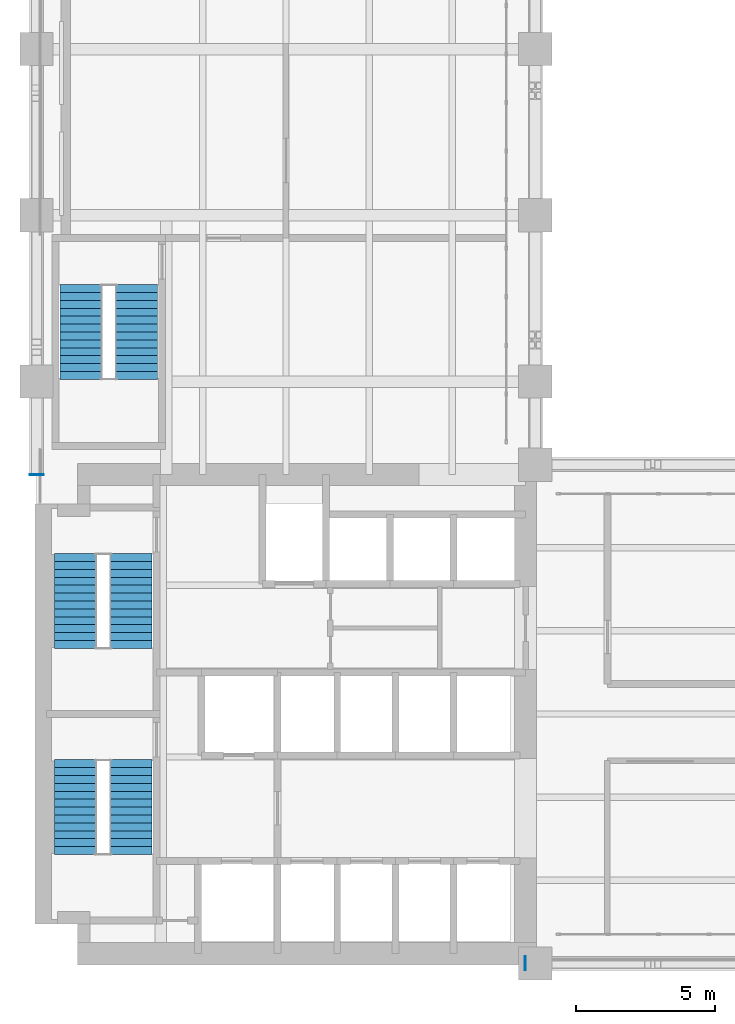
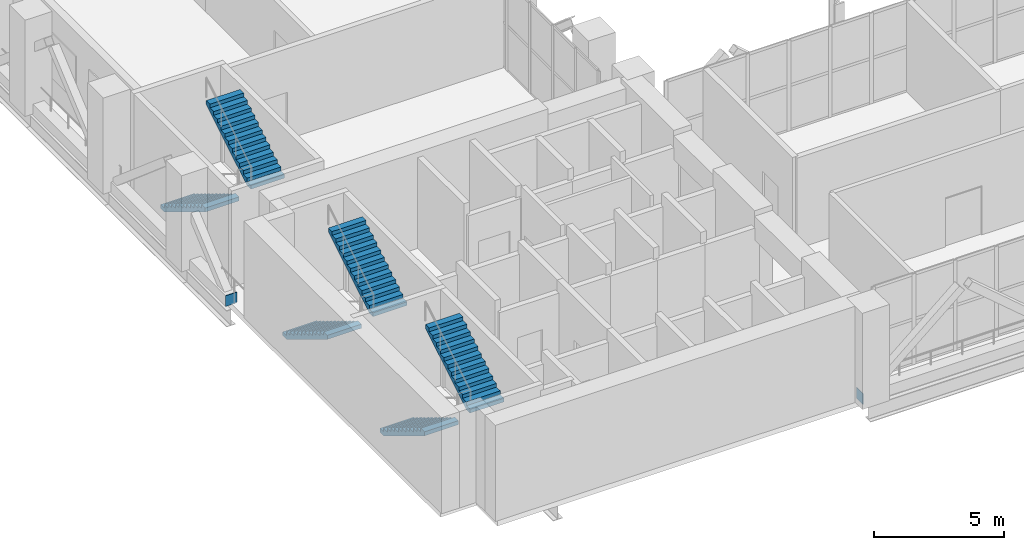
# One storey, part 25 of 27: 6 stair flights, 2 discrete accessories, 3 elements without a shape of their own.
"""IFC4 building model written with IfcOpenShell, lengths in metres."""

import ifcopenshell
import ifcopenshell.guid

model = None  # the IFC model being written
_history = None  # IfcOwnerHistory: only IFC2X3 demands one
_inside = {}  # id of a spatial element -> (the spatial element, [elements in it])
_under = {}  # id of a project, library or spatial element -> (it, [spatial elements below it])
_declared = {}  # id of a project -> (the project, [libraries it declares])
_typed = {}  # id of a type object -> (the type object, [elements of that type])
_made_of = {}  # id of a material, layer set ... -> (it, [elements and type objects made of it])


def new_model(schema):
    """Start an empty IFC model of exactly this schema.

    Asked for "IFC4X3", IfcOpenShell would pick the latest addendum, in which some entities
    have other attributes; the version numbers below select the first issue.
    IFC2X3 requires an IfcOwnerHistory on every rooted entity: one is made here for all.
    """
    global model, _history
    if schema == "IFC4X3":
        model = ifcopenshell.file(schema_version=(4, 3, 0, 0))
    else:
        model = ifcopenshell.file(schema=schema)
    _inside.clear()
    _under.clear()
    _declared.clear()
    _typed.clear()
    _made_of.clear()
    _history = None
    if model.schema == "IFC2X3":
        org = make("IfcOrganization", Name="unknown")
        user = make(
            "IfcPersonAndOrganization",
            ThePerson=make("IfcPerson", FamilyName="unknown"),
            TheOrganization=org,
        )
        app = make(
            "IfcApplication",
            ApplicationDeveloper=org,
            Version="unknown",
            ApplicationFullName="unknown",
            ApplicationIdentifier="unknown",
        )
        _history = make(
            "IfcOwnerHistory",
            OwningUser=user,
            OwningApplication=app,
            ChangeAction="ADDED",
            CreationDate=0,
        )
    return model


def make(cls, **values):
    """One entity of the class cls with the attributes given. An attribute that is None is left unset."""
    return model.create_entity(
        cls, **{name: value for name, value in values.items() if value is not None}
    )


def rooted(cls, **values):
    """An entity with a GlobalId (a new one), such as an element, a storey or a relation."""
    return make(cls, GlobalId=ifcopenshell.guid.new(), OwnerHistory=_history, **values)


def si_unit(unit_type, name, prefix=None):
    """IfcSIUnit, for example si_unit("LENGTHUNIT", "METRE", prefix="MILLI")."""
    return make("IfcSIUnit", UnitType=unit_type, Prefix=prefix, Name=name)


def assignment(units):
    """IfcUnitAssignment: the units of a project."""
    return None if units is None else make("IfcUnitAssignment", Units=units)


def point(xyz):
    """IfcCartesianPoint."""
    return None if xyz is None else make("IfcCartesianPoint", Coordinates=xyz)


def direction(xyz):
    """IfcDirection."""
    return None if xyz is None else make("IfcDirection", DirectionRatios=xyz)


def frame(location, z_axis=None, x_axis=None):
    """IfcAxis2Placement3D, a coordinate frame: its origin and axes. An axis left out is left unset."""
    return make(
        "IfcAxis2Placement3D",
        Location=point(location),
        Axis=direction(z_axis),
        RefDirection=direction(x_axis),
    )


def frame_2d(location, x_axis=None):
    """IfcAxis2Placement2D, a coordinate frame in the plane: its origin and x axis."""
    return make(
        "IfcAxis2Placement2D", Location=point(location), RefDirection=direction(x_axis)
    )


def origin():
    """The frame at (0, 0, 0) with its axes left unset."""
    return frame((0.0, 0.0, 0.0))


def origin_2d():
    """The frame at (0, 0) in the plane with its x axis left unset."""
    return frame_2d((0.0, 0.0))


def place(relative_to, where):
    """IfcLocalPlacement: puts the frame where relative to a parent placement (None: the world)."""
    return make(
        "IfcLocalPlacement", PlacementRelTo=relative_to, RelativePlacement=where
    )


def context(
    kind, dimensions, precision=None, world=None, true_north=None, identifier=None
):
    """IfcGeometricRepresentationContext, for example the 3D "Model" context."""
    return make(
        "IfcGeometricRepresentationContext",
        ContextIdentifier=identifier,
        ContextType=kind,
        CoordinateSpaceDimension=dimensions,
        Precision=precision,
        WorldCoordinateSystem=world,
        TrueNorth=true_north,
    )


def subcontext(parent, identifier, kind, view, scale=None):
    """IfcGeometricRepresentationSubContext, for example "Body" below "Model"."""
    return make(
        "IfcGeometricRepresentationSubContext",
        ContextIdentifier=identifier,
        ContextType=kind,
        ParentContext=parent,
        TargetScale=scale,
        TargetView=view,
    )


def project(units=None, contexts=None):
    """IfcProject with its units and contexts."""
    return rooted(
        "IfcProject",
        Name="project",
        RepresentationContexts=contexts,
        UnitsInContext=assignment(units),
    )


def spatial(cls, under=None, at=None, **own):
    """A site, building, storey or space (cls), placed at a placement, below another one or the project."""
    s = rooted(cls, ObjectPlacement=at, **own)
    if under is not None:
        _under.setdefault(under.id(), (under, []))[1].append(s)
    return s


def polyline(points):
    """IfcPolyline through the points."""
    return make("IfcPolyline", Points=[point(p) for p in points])


def profile(cls, at=None, kind="AREA", **sizes):
    """A parametric profile (cls). Its sizes go by their IFC names, for example OverallWidth=200.0."""
    return make(cls, ProfileType=kind, Position=at, **sizes)


def rectangle(**sizes):
    """IfcRectangleProfileDef."""
    return profile("IfcRectangleProfileDef", **sizes)


def outline(outer, holes=None, kind="AREA"):
    """IfcArbitraryClosedProfileDef: a profile drawn as a closed curve; with holes, ...WithVoids."""
    if holes is None:
        return make("IfcArbitraryClosedProfileDef", ProfileType=kind, OuterCurve=outer)
    return make(
        "IfcArbitraryProfileDefWithVoids",
        ProfileType=kind,
        OuterCurve=outer,
        InnerCurves=holes,
    )


def extrude(swept, where, along, depth):
    """IfcExtrudedAreaSolid: the profile swept, set in the frame where, extruded along a direction by depth."""
    return make(
        "IfcExtrudedAreaSolid",
        SweptArea=swept,
        Position=where,
        ExtrudedDirection=direction(along),
        Depth=depth,
    )


def shape(context_of_items, identifier, shape_type, items):
    """IfcShapeRepresentation: the items that make up one representation, for example the "Body"."""
    return make(
        "IfcShapeRepresentation",
        ContextOfItems=context_of_items,
        RepresentationIdentifier=identifier,
        RepresentationType=shape_type,
        Items=items,
    )


def material(Name=None, Category=None):
    """IfcMaterial."""
    return make("IfcMaterial", Name=Name, Category=Category)


def material_profile(
    of_material, cross_section, Name=None, Category=None, Priority=None
):
    """IfcMaterialProfile: a cross section and its material."""
    return make(
        "IfcMaterialProfile",
        Name=Name,
        Material=of_material,
        Profile=cross_section,
        Priority=Priority,
        Category=Category,
    )


def profile_set(profiles, Name=None, composite=None):
    """IfcMaterialProfileSet."""
    return make(
        "IfcMaterialProfileSet",
        Name=Name,
        MaterialProfiles=profiles,
        CompositeProfile=composite,
    )


def made_of(thing, what):
    """Note that an element or type object is made of a material, layer set ...; save() writes the relation."""
    if what is not None:
        _made_of.setdefault(what.id(), (what, []))[1].append(thing)
    return thing


def type_object(cls, material=None, **own):
    """A type object (cls), such as IfcWallType, which elements share."""
    return made_of(rooted(cls, **own), material)


def element(
    cls,
    number,
    at=None,
    inside=None,
    cuts=None,
    type_object=None,
    material=None,
    context=None,
    identifier="Body",
    shape_type=None,
    held_by="IfcProductDefinitionShape",
    body=None,
    shapes=None,
    **own,
):
    """One element of the class cls, such as IfcWall. Its Tag is "e" and its number.

    at: its placement. inside: the storey or other place that contains it. cuts: it is an
    opening in that element (IfcRelVoidsElement). A single representation is given by context,
    identifier, shape_type and body (its items); several are given by shapes. held_by: the class
    of the entity that holds the representations. save() writes the other relations.
    """
    e = rooted(cls, Tag="e%d" % number, ObjectPlacement=at, **own)
    if body is not None:
        shapes = [shape(context, identifier, shape_type, body)]
    if shapes is not None:
        e.Representation = make(held_by, Representations=shapes)
    if inside is not None:
        _inside.setdefault(inside.id(), (inside, []))[1].append(e)
    if cuts is not None:
        rooted(
            "IfcRelVoidsElement", RelatingBuildingElement=cuts, RelatedOpeningElement=e
        )
    if type_object is not None:
        _typed.setdefault(type_object.id(), (type_object, []))[1].append(e)
    return made_of(e, material)


def aggregate(whole, parts):
    """IfcRelAggregates: a whole, such as a stair, and the parts it consists of."""
    return rooted("IfcRelAggregates", RelatingObject=whole, RelatedObjects=parts)


def save(model, path):
    """Write the relations noted so far, then the file.

    IfcRelAggregates (storeys below a building ...), IfcRelContainedInSpatialStructure (elements
    in a storey), IfcRelDefinesByType, IfcRelAssociatesMaterial and IfcRelDeclares: one each for
    every whole, place, type object, material and project.
    """
    for whole, parts in _under.values():
        aggregate(whole, parts)
    for where, things in _inside.values():
        rooted(
            "IfcRelContainedInSpatialStructure",
            RelatedElements=things,
            RelatingStructure=where,
        )
    for kind, things in _typed.values():
        rooted("IfcRelDefinesByType", RelatedObjects=things, RelatingType=kind)
    for what, things in _made_of.values():
        rooted("IfcRelAssociatesMaterial", RelatedObjects=things, RelatingMaterial=what)
    for by, libraries in _declared.values():
        rooted("IfcRelDeclares", RelatingContext=by, RelatedDefinitions=libraries)
    model.write(path)


model = new_model("IFC4")

# Units and contexts
model_context = context("Model", 3, precision=1e-05, world=origin(), true_north=direction((0.0, 1.0)))
body_context = subcontext(model_context, "Body", "Model", "MODEL_VIEW")
ifc_project = project(units=[si_unit("LENGTHUNIT", "METRE"), si_unit("AREAUNIT", "SQUARE_METRE"), si_unit("VOLUMEUNIT", "CUBIC_METRE"), si_unit("PLANEANGLEUNIT", "RADIAN"), si_unit("MASSUNIT", "GRAM", prefix="KILO")], contexts=[model_context])

# Site, building, storey
site_placement = place(None, origin())
site = spatial("IfcSite", under=ifc_project, at=site_placement, CompositionType="ELEMENT")
building_placement = place(site_placement, origin())
building = spatial("IfcBuilding", under=site, at=building_placement, Name="Mawjdan Bourse Tower", CompositionType="ELEMENT")
storey_placement = place(building_placement, frame((0.0, 0.0, 84.60009765625)))
storey = spatial("IfcBuildingStorey", under=building, at=storey_placement, Name="L19", CompositionType="ELEMENT", Elevation=84.60009765625)

# Stair, stair flights
ifc_material_1 = material(Name="Concrete C50/60", Category="concrete")
stair_type = type_object("IfcStairType", Name="STR-CORE-1500", PredefinedType="HALF_TURN_STAIR", material=ifc_material_1)
stair_1_placement = place(storey_placement, origin())
stair_1 = element("IfcStair", 1, at=stair_1_placement, inside=storey, type_object=stair_type, Name="L19 Exit Stair 1 (Core South-West)", PredefinedType="HALF_TURN_STAIR")
stair_flight_type = type_object("IfcStairFlightType", Name="SFL-RC-1500", PredefinedType="STRAIGHT", material=ifc_material_1)
stair_flight_1_placement = place(storey_placement, frame((7.389892578125, 10.35009765625, 0.0), z_axis=(0.0, 0.0, 1.0), x_axis=(0.0, -1.0, 0.0)))
stair_flight_1 = element("IfcStairFlight", 2, at=stair_flight_1_placement, type_object=stair_flight_type, Name="ST1-L19 flight 1", NumberOfRisers=13, NumberOfTreads=12, PredefinedType="STRAIGHT", RiserHeight=0.173077, TreadLength=0.285, context=body_context, shape_type="SweptSolid", body=[
    extrude(outline(polyline([(0.0, 0.0), (0.0, 0.173095703125), (0.284912109375, 0.173095703125), (0.284912109375, 0.34619140625), (0.570068359375, 0.34619140625), (0.570068359375, 0.519287109375), (0.85498046875, 0.519287109375), (0.85498046875, 0.6923828125), (1.139892578125, 0.6923828125), (1.139892578125, 0.865478515625), (1.425048828125, 0.865478515625), (1.425048828125, 1.03857421875), (1.7099609375, 1.03857421875), (1.7099609375, 1.21142578125), (1.9951171875, 1.21142578125), (1.9951171875, 1.384521484375), (2.280029296875, 1.384521484375), (2.280029296875, 1.5576171875), (2.56494140625, 1.5576171875), (2.56494140625, 1.730712890625), (2.85009765625, 1.730712890625), (2.85009765625, 1.90380859375), (3.135009765625, 1.90380859375), (3.135009765625, 2.076904296875), (3.419921875, 2.076904296875), (3.419921875, 2.25), (3.419921875, 1.889892578125), (0.30810546875, 0.0), (0.0, 0.0)])), frame((0.0, 0.75, 0.0), z_axis=(0.0, -1.0, 0.0), x_axis=(1.0, 0.0, 0.0)), (0.0, 0.0, 1.0), 1.5),
])
stair_flight_2_placement = place(storey_placement, frame((9.409912109375, 6.929931640625, 2.25), z_axis=(0.0, 0.0, 1.0), x_axis=(0.0, 1.0, 0.0)))
stair_flight_2 = element("IfcStairFlight", 3, at=stair_flight_2_placement, type_object=stair_flight_type, Name="ST1-L19 flight 2", NumberOfRisers=13, NumberOfTreads=12, PredefinedType="STRAIGHT", RiserHeight=0.173077, TreadLength=0.285, context=body_context, shape_type="SweptSolid", body=[
    extrude(outline(polyline([(0.0, 0.0), (0.0, 0.173095703125), (0.284912109375, 0.173095703125), (0.284912109375, 0.34619140625), (0.570068359375, 0.34619140625), (0.570068359375, 0.519287109375), (0.85498046875, 0.519287109375), (0.85498046875, 0.6923828125), (1.139892578125, 0.6923828125), (1.139892578125, 0.865478515625), (1.425048828125, 0.865478515625), (1.425048828125, 1.03857421875), (1.7099609375, 1.03857421875), (1.7099609375, 1.21142578125), (1.9951171875, 1.21142578125), (1.9951171875, 1.384521484375), (2.280029296875, 1.384521484375), (2.280029296875, 1.5576171875), (2.56494140625, 1.5576171875), (2.56494140625, 1.730712890625), (2.85009765625, 1.730712890625), (2.85009765625, 1.90380859375), (3.135009765625, 1.90380859375), (3.135009765625, 2.076904296875), (3.419921875, 2.076904296875), (3.419921875, 2.25), (3.419921875, 1.889892578125), (0.30810546875, 0.0), (0.0, 0.0)])), frame((0.0, 0.75, 0.0), z_axis=(0.0, -1.0, 0.0), x_axis=(1.0, 0.0, 0.0)), (0.0, 0.0, 1.0), 1.5),
])
aggregate(stair_1, [stair_flight_1, stair_flight_2])

stair_2_placement = place(storey_placement, origin())
stair_2 = element("IfcStair", 4, at=stair_2_placement, inside=storey, type_object=stair_type, Name="L19 Exit Stair 2 (Core North-West)", PredefinedType="HALF_TURN_STAIR")
stair_flight_3_placement = place(storey_placement, frame((7.389892578125, 17.7900390625, 0.0), z_axis=(0.0, 0.0, 1.0), x_axis=(0.0, -1.0, 0.0)))
stair_flight_3 = element("IfcStairFlight", 5, at=stair_flight_3_placement, type_object=stair_flight_type, Name="ST2-L19 flight 1", NumberOfRisers=13, NumberOfTreads=12, PredefinedType="STRAIGHT", RiserHeight=0.173077, TreadLength=0.285, context=body_context, shape_type="SweptSolid", body=[
    extrude(outline(polyline([(0.0, 0.0), (0.0, 0.173095703125), (0.284912109375, 0.173095703125), (0.284912109375, 0.34619140625), (0.570068359375, 0.34619140625), (0.570068359375, 0.519287109375), (0.85498046875, 0.519287109375), (0.85498046875, 0.6923828125), (1.139892578125, 0.6923828125), (1.139892578125, 0.865478515625), (1.425048828125, 0.865478515625), (1.425048828125, 1.03857421875), (1.7099609375, 1.03857421875), (1.7099609375, 1.21142578125), (1.9951171875, 1.21142578125), (1.9951171875, 1.384521484375), (2.280029296875, 1.384521484375), (2.280029296875, 1.5576171875), (2.56494140625, 1.5576171875), (2.56494140625, 1.730712890625), (2.85009765625, 1.730712890625), (2.85009765625, 1.90380859375), (3.135009765625, 1.90380859375), (3.135009765625, 2.076904296875), (3.419921875, 2.076904296875), (3.419921875, 2.25), (3.419921875, 1.889892578125), (0.30810546875, 0.0), (0.0, 0.0)])), frame((0.0, 0.75, 0.0), z_axis=(0.0, -1.0, 0.0), x_axis=(1.0, 0.0, 0.0)), (0.0, 0.0, 1.0), 1.5),
])
stair_flight_4_placement = place(storey_placement, frame((9.409912109375, 14.3701171875, 2.25), z_axis=(0.0, 0.0, 1.0), x_axis=(0.0, 1.0, 0.0)))
stair_flight_4 = element("IfcStairFlight", 6, at=stair_flight_4_placement, type_object=stair_flight_type, Name="ST2-L19 flight 2", NumberOfRisers=13, NumberOfTreads=12, PredefinedType="STRAIGHT", RiserHeight=0.173077, TreadLength=0.285, context=body_context, shape_type="SweptSolid", body=[
    extrude(outline(polyline([(0.0, 0.0), (0.0, 0.173095703125), (0.284912109375, 0.173095703125), (0.284912109375, 0.34619140625), (0.570068359375, 0.34619140625), (0.570068359375, 0.519287109375), (0.85498046875, 0.519287109375), (0.85498046875, 0.6923828125), (1.139892578125, 0.6923828125), (1.139892578125, 0.865478515625), (1.425048828125, 0.865478515625), (1.425048828125, 1.03857421875), (1.7099609375, 1.03857421875), (1.7099609375, 1.21142578125), (1.9951171875, 1.21142578125), (1.9951171875, 1.384521484375), (2.280029296875, 1.384521484375), (2.280029296875, 1.5576171875), (2.56494140625, 1.5576171875), (2.56494140625, 1.730712890625), (2.85009765625, 1.730712890625), (2.85009765625, 1.90380859375), (3.135009765625, 1.90380859375), (3.135009765625, 2.076904296875), (3.419921875, 2.076904296875), (3.419921875, 2.25), (3.419921875, 1.889892578125), (0.30810546875, 0.0), (0.0, 0.0)])), frame((0.0, 0.75, 0.0), z_axis=(0.0, -1.0, 0.0), x_axis=(1.0, 0.0, 0.0)), (0.0, 0.0, 1.0), 1.5),
])
aggregate(stair_2, [stair_flight_3, stair_flight_4])

stair_3_placement = place(storey_placement, origin())
stair_3 = element("IfcStair", 7, at=stair_3_placement, inside=storey, type_object=stair_type, Name="L19 Exit Stair 3 (North Wing)", PredefinedType="HALF_TURN_STAIR")
stair_flight_5_placement = place(storey_placement, frame((7.590087890625, 27.5, 0.0), z_axis=(0.0, 0.0, 1.0), x_axis=(0.0, -1.0, 0.0)))
stair_flight_5 = element("IfcStairFlight", 8, at=stair_flight_5_placement, type_object=stair_flight_type, Name="ST3-L19 flight 1", NumberOfRisers=13, NumberOfTreads=12, PredefinedType="STRAIGHT", RiserHeight=0.173077, TreadLength=0.285, context=body_context, shape_type="SweptSolid", body=[
    extrude(outline(polyline([(0.0, 0.0), (0.0, 0.173095703125), (0.284912109375, 0.173095703125), (0.284912109375, 0.34619140625), (0.570068359375, 0.34619140625), (0.570068359375, 0.519287109375), (0.85498046875, 0.519287109375), (0.85498046875, 0.6923828125), (1.139892578125, 0.6923828125), (1.139892578125, 0.865478515625), (1.425048828125, 0.865478515625), (1.425048828125, 1.03857421875), (1.7099609375, 1.03857421875), (1.7099609375, 1.21142578125), (1.9951171875, 1.21142578125), (1.9951171875, 1.384521484375), (2.280029296875, 1.384521484375), (2.280029296875, 1.5576171875), (2.56494140625, 1.5576171875), (2.56494140625, 1.730712890625), (2.85009765625, 1.730712890625), (2.85009765625, 1.90380859375), (3.135009765625, 1.90380859375), (3.135009765625, 2.076904296875), (3.419921875, 2.076904296875), (3.419921875, 2.25), (3.419921875, 1.889892578125), (0.30810546875, 0.0), (0.0, 0.0)])), frame((0.0, 0.75, 0.0), z_axis=(0.0, -1.0, 0.0), x_axis=(1.0, 0.0, 0.0)), (0.0, 0.0, 1.0), 1.5),
])
stair_flight_6_placement = place(storey_placement, frame((9.610107421875, 24.080078125, 2.25), z_axis=(0.0, 0.0, 1.0), x_axis=(0.0, 1.0, 0.0)))
stair_flight_6 = element("IfcStairFlight", 9, at=stair_flight_6_placement, type_object=stair_flight_type, Name="ST3-L19 flight 2", NumberOfRisers=13, NumberOfTreads=12, PredefinedType="STRAIGHT", RiserHeight=0.173077, TreadLength=0.285, context=body_context, shape_type="SweptSolid", body=[
    extrude(outline(polyline([(0.0, 0.0), (0.0, 0.173095703125), (0.284912109375, 0.173095703125), (0.284912109375, 0.34619140625), (0.570068359375, 0.34619140625), (0.570068359375, 0.519287109375), (0.85498046875, 0.519287109375), (0.85498046875, 0.6923828125), (1.139892578125, 0.6923828125), (1.139892578125, 0.865478515625), (1.425048828125, 0.865478515625), (1.425048828125, 1.03857421875), (1.7099609375, 1.03857421875), (1.7099609375, 1.21142578125), (1.9951171875, 1.21142578125), (1.9951171875, 1.384521484375), (2.280029296875, 1.384521484375), (2.280029296875, 1.5576171875), (2.56494140625, 1.5576171875), (2.56494140625, 1.730712890625), (2.85009765625, 1.730712890625), (2.85009765625, 1.90380859375), (3.135009765625, 1.90380859375), (3.135009765625, 2.076904296875), (3.419921875, 2.076904296875), (3.419921875, 2.25), (3.419921875, 1.889892578125), (0.30810546875, 0.0), (0.0, 0.0)])), frame((0.0, 0.75, 0.0), z_axis=(0.0, -1.0, 0.0), x_axis=(1.0, 0.0, 0.0)), (0.0, 0.0, 1.0), 1.5),
])
aggregate(stair_3, [stair_flight_5, stair_flight_6])

# Discrete accessories
ifc_material_2 = material(Name="Structural Steel S460", Category="steel")
ifc_material_profile = material_profile(ifc_material_2, rectangle(XDim=0.5, YDim=0.5, at=origin_2d()), Name="EPL-HSS500X500X20")
ifc_profile_set = profile_set([ifc_material_profile], Name="Structural Steel S460")
discrete_accessory_type = type_object("IfcDiscreteAccessoryType", Name="EPL-HSS500X500X20", PredefinedType="NOTDEFINED", material=ifc_profile_set)
for number, where, z_axis, x_axis, name in (
    (10, (23.64990234375, 3.0, 0.199951171875), (-1.0, 0.0, 0.0), (0.0, -1.0, 0.0), "L19 East Outrigger Truss 1 Chord End Plate 1"),
    (11, (6.0, 20.64990234375, 0.199951171875), (0.0, -1.0, 0.0), (1.0, 0.0, 0.0), "L19 North Outrigger Truss 1 Chord End Plate 1"),
):
    element("IfcDiscreteAccessory", number, at=place(storey_placement, frame(where, z_axis=z_axis, x_axis=x_axis)), inside=storey, type_object=discrete_accessory_type, Name=name, PredefinedType="NOTDEFINED", context=body_context, shape_type="SweptSolid", body=[
        extrude(rectangle(XDim=0.5, YDim=0.5, at=origin_2d()), origin(), (0.0, 0.0, 1.0), 0.02490234375),
    ])

save(model, "model.ifc")
